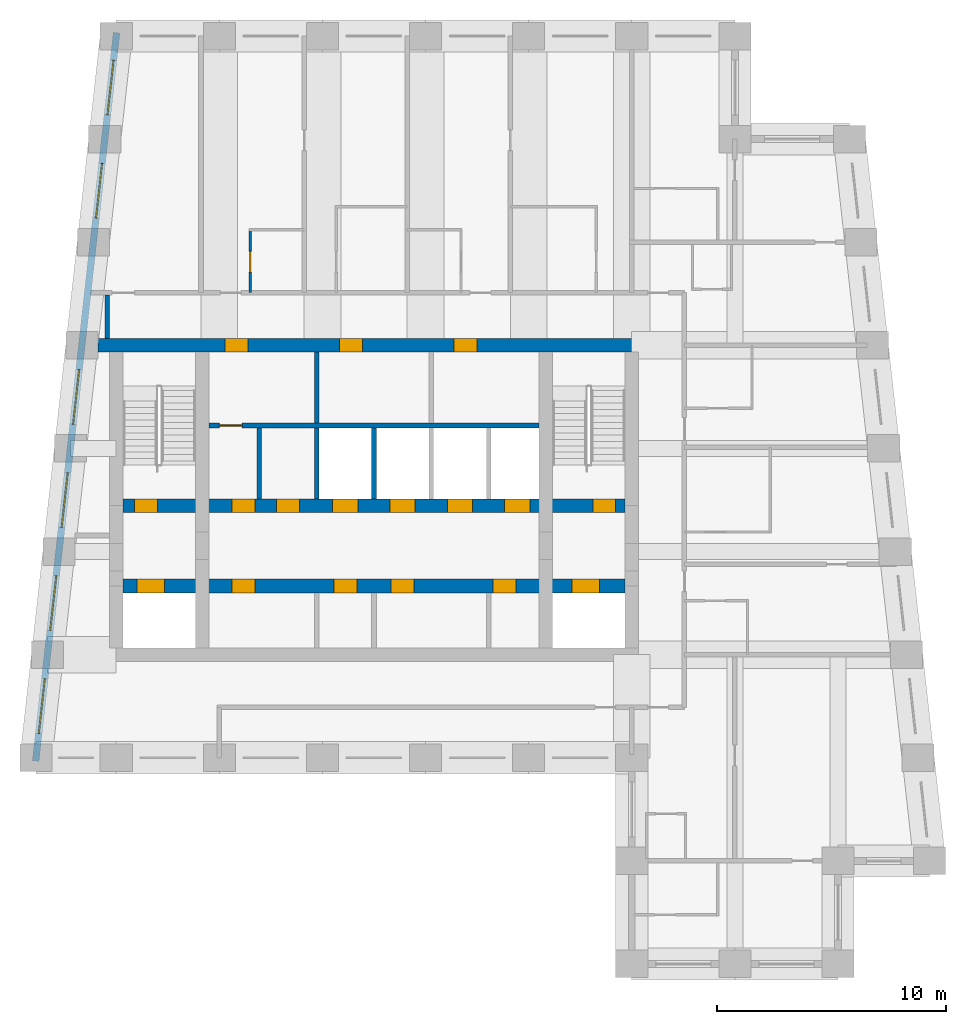
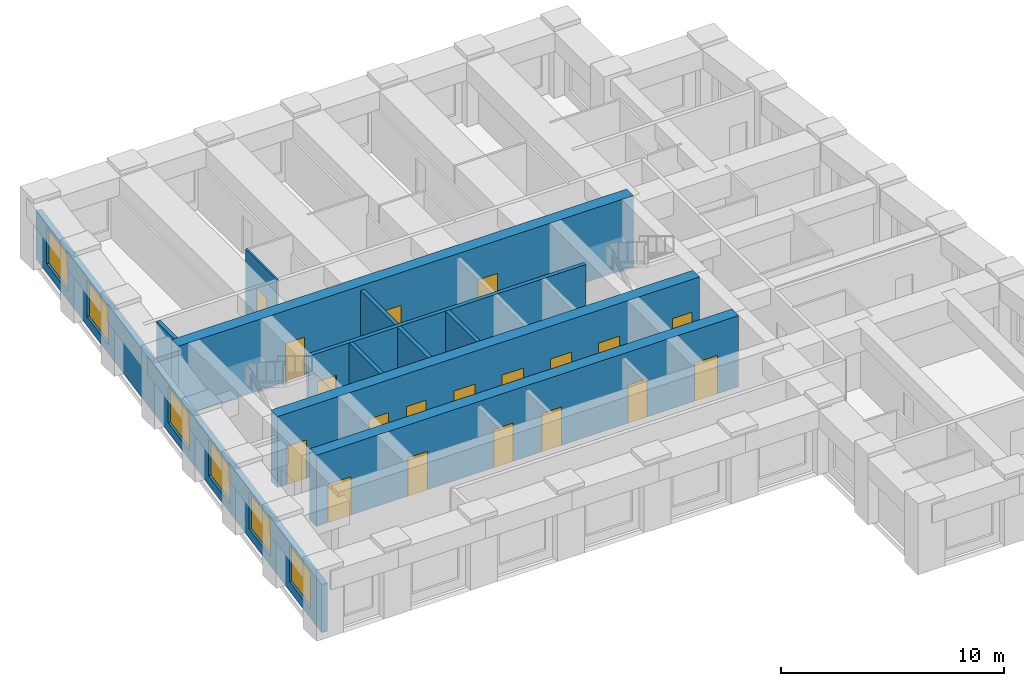
# One storey, part 3 of 7: 19 doors, 11 walls, 6 windows, 25 openings.
"""IFC4 building model written with IfcOpenShell, lengths in metres."""

from ifc_helpers import new_model, si_unit, direction, frame, frame_2d, origin, place, context, subcontext, project, spatial, rectangle, extrude, material, layer, layer_set, type_object, element, fill, save


model = new_model("IFC4")

# Units and contexts
model_context = context("Model", 3, precision=1e-05, world=origin(), true_north=direction((0.0, 1.0)))
body_context = subcontext(model_context, "Body", "Model", "MODEL_VIEW")
ifc_project = project(units=[si_unit("LENGTHUNIT", "METRE"), si_unit("AREAUNIT", "SQUARE_METRE"), si_unit("VOLUMEUNIT", "CUBIC_METRE"), si_unit("PLANEANGLEUNIT", "RADIAN"), si_unit("MASSUNIT", "GRAM", prefix="KILO")], contexts=[model_context])

# Site, building, storey
site_placement = place(None, origin())
site = spatial("IfcSite", under=ifc_project, at=site_placement, CompositionType="ELEMENT")
building_placement = place(site_placement, origin())
building = spatial("IfcBuilding", under=site, at=building_placement, Name="Kilele Tower Hotel", CompositionType="ELEMENT")
storey_placement = place(building_placement, frame((0.0, 0.0, 262.39990234375)))
storey = spatial("IfcBuildingStorey", under=building, at=storey_placement, Name="L67", CompositionType="ELEMENT", Elevation=262.39990234375)

# Wall, opening, door
ifc_material_1 = material(Name="Moisture-resistant board")
ifc_layer_1 = layer(ifc_material_1, 0.10009765625)
ifc_layer_set_1 = layer_set([ifc_layer_1], Name="Moisture-resistant board")
wall_type_1 = type_object("IfcWallType", Name="Bathroom partition 100", PredefinedType="PLUMBINGWALL", material=ifc_layer_set_1)
wall_1_placement = place(storey_placement, frame((19.35009765625, 29.300048828125, 0.0), z_axis=(0.0, 0.0, 1.0), x_axis=(0.0, 1.0, 0.0)))
wall_1 = element("IfcWall", 1, at=wall_1_placement, inside=storey, type_object=wall_type_1, Name="Bathroom partition 100 L67", PredefinedType="PLUMBINGWALL", context=body_context, shape_type="SweptSolid", body=[
    extrude(rectangle(XDim=2.800048828125, YDim=0.10009765625, at=frame_2d((1.39990234375, 0.0))), origin(), (0.0, 0.0, 1.0), 3.650146484375),
])
opening_1_placement = place(wall_1_placement, frame((0.89990234375, 0.0, 0.0)))
opening_1 = element("IfcOpeningElement", 2, at=opening_1_placement, cuts=wall_1, Name="Opening D2A", PredefinedType="OPENING", context=body_context, shape_type="SweptSolid", body=[
    extrude(rectangle(XDim=0.89990234375, YDim=2.10009765625, at=frame_2d((0.449951171875, 1.050048828125))), frame((0.0, 0.06005859375, 0.0), z_axis=(0.0, -1.0, 0.0), x_axis=(1.0, 0.0, 0.0)), (0.0, 0.0, 1.0), 0.1201171875),
])
ifc_material_2 = material(Name="Timber door leaf in hardwood frame", Category="wood")
door_type_1 = type_object("IfcDoorType", Name="Bathroom door 900", OperationType="SINGLE_SWING_LEFT", PredefinedType="DOOR", material=ifc_material_2)
door_1_placement = place(opening_1_placement, origin())
door_1 = element("IfcDoor", 3, at=door_1_placement, inside=storey, type_object=door_type_1, Name="Bathroom door 6707B", OperationType="SINGLE_SWING_LEFT", OverallHeight=2.10009765625, OverallWidth=0.89990234375, PredefinedType="DOOR", context=body_context, shape_type="SweptSolid", body=[
    extrude(rectangle(XDim=0.89990234375, YDim=2.10009765625, at=frame_2d((0.449951171875, 1.050048828125))), frame((0.0, 0.02490234375, 0.0), z_axis=(0.0, -1.0, 0.0), x_axis=(1.0, 0.0, 0.0)), (0.0, 0.0, 1.0), 0.050048828125),
])
fill(opening_1, door_1)

# Wall, openings, doors
ifc_material_3 = material(Name="Concrete C60/75", Category="concrete")
ifc_layer_2 = layer(ifc_material_3, 0.60009765625)
ifc_layer_set_2 = layer_set([ifc_layer_2], Name="Concrete C60/75")
wall_type_2 = type_object("IfcWallType", Name="Core wall 600 C60/75", PredefinedType="SHEAR", material=ifc_layer_set_2)
wall_2_placement = place(storey_placement, frame((36.300048828125, 27.0, 0.0), z_axis=(0.0, 0.0, 1.0), x_axis=(-1.0, 0.0, 0.0)))
wall_2 = element("IfcWall", 4, at=wall_2_placement, inside=storey, type_object=wall_type_2, Name="Core wall N L67", PredefinedType="SHEAR", context=body_context, shape_type="SweptSolid", body=[
    extrude(rectangle(XDim=23.60009765625, YDim=0.60009765625, at=frame_2d((11.800048828125, 0.0))), origin(), (0.0, 0.0, 1.0), 3.900146484375),
])
opening_2_placement = place(wall_2_placement, frame((17.050048828125, 0.0, 0.0)))
opening_2 = element("IfcOpeningElement", 5, at=opening_2_placement, cuts=wall_2, Name="Opening D12", PredefinedType="OPENING", context=body_context, shape_type="SweptSolid", body=[
    extrude(rectangle(XDim=1.0, YDim=2.10009765625, at=frame_2d((0.5, 1.050048828125))), frame((0.0, 0.31005859375, 0.0), z_axis=(0.0, -1.0, 0.0), x_axis=(1.0, 0.0, 0.0)), (0.0, 0.0, 1.0), 0.6201171875),
])
opening_3_placement = place(wall_2_placement, frame((12.050048828125, 0.0, 0.0)))
opening_3 = element("IfcOpeningElement", 6, at=opening_3_placement, cuts=wall_2, Name="Opening D6", PredefinedType="OPENING", context=body_context, shape_type="SweptSolid", body=[
    extrude(rectangle(XDim=1.0, YDim=2.10009765625, at=frame_2d((0.5, 1.050048828125))), frame((0.0, 0.31005859375, 0.0), z_axis=(0.0, -1.0, 0.0), x_axis=(1.0, 0.0, 0.0)), (0.0, 0.0, 1.0), 0.6201171875),
])
opening_4_placement = place(wall_2_placement, frame((7.050048828125, 0.0, 0.0)))
opening_4 = element("IfcOpeningElement", 7, at=opening_4_placement, cuts=wall_2, Name="Opening D6", PredefinedType="OPENING", context=body_context, shape_type="SweptSolid", body=[
    extrude(rectangle(XDim=1.0, YDim=2.10009765625, at=frame_2d((0.5, 1.050048828125))), frame((0.0, 0.31005859375, 0.0), z_axis=(0.0, -1.0, 0.0), x_axis=(1.0, 0.0, 0.0)), (0.0, 0.0, 1.0), 0.6201171875),
])
ifc_material_4 = material(Name="Timber door leaf in hardwood frame", Category="wood")
door_type_2 = type_object("IfcDoorType", Name="Core lobby door 1000", OperationType="SINGLE_SWING_LEFT", PredefinedType="DOOR", material=ifc_material_4)
door_2_placement = place(opening_2_placement, origin())
door_2 = element("IfcDoor", 8, at=door_2_placement, inside=storey, type_object=door_type_2, Name="North lobby door L67", OperationType="SINGLE_SWING_RIGHT", OverallHeight=2.10009765625, OverallWidth=1.0, PredefinedType="DOOR", context=body_context, shape_type="SweptSolid", body=[
    extrude(rectangle(XDim=1.0, YDim=2.10009765625, at=frame_2d((0.5, 1.050048828125))), frame((0.0, 0.2998046875, 0.0), z_axis=(0.0, -1.0, 0.0), x_axis=(1.0, 0.0, 0.0)), (0.0, 0.0, 1.0), 0.599609375),
])
fill(opening_2, door_2)
ifc_material_5 = material(Name="Timber door leaf in hardwood frame", Category="wood")
door_type_3 = type_object("IfcDoorType", Name="Riser door 1000", OperationType="SINGLE_SWING_LEFT", PredefinedType="DOOR", material=ifc_material_5)
door_3_placement = place(opening_3_placement, origin())
door_3 = element("IfcDoor", 9, at=door_3_placement, inside=storey, type_object=door_type_3, Name="Guest pantry door L67", OperationType="SINGLE_SWING_RIGHT", OverallHeight=2.10009765625, OverallWidth=1.0, PredefinedType="DOOR", context=body_context, shape_type="SweptSolid", body=[
    extrude(rectangle(XDim=1.0, YDim=2.10009765625, at=frame_2d((0.5, 1.050048828125))), frame((0.0, 0.2998046875, 0.0), z_axis=(0.0, -1.0, 0.0), x_axis=(1.0, 0.0, 0.0)), (0.0, 0.0, 1.0), 0.599609375),
])
fill(opening_3, door_3)
door_4_placement = place(opening_4_placement, origin())
door_4 = element("IfcDoor", 10, at=door_4_placement, inside=storey, type_object=door_type_3, Name="Electrical riser door L67", OperationType="SINGLE_SWING_RIGHT", OverallHeight=2.10009765625, OverallWidth=1.0, PredefinedType="DOOR", context=body_context, shape_type="SweptSolid", body=[
    extrude(rectangle(XDim=1.0, YDim=2.10009765625, at=frame_2d((0.5, 1.050048828125))), frame((0.0, 0.2998046875, 0.0), z_axis=(0.0, -1.0, 0.0), x_axis=(1.0, 0.0, 0.0)), (0.0, 0.0, 1.0), 0.599609375),
])
fill(opening_4, door_4)

wall_3_placement = place(storey_placement, frame((13.800048828125, 16.5, 0.0), z_axis=(0.0, 0.0, 1.0), x_axis=(1.0, 0.0, 0.0)))
wall_3 = element("IfcWall", 11, at=wall_3_placement, inside=storey, type_object=wall_type_2, Name="Core wall LS L67", PredefinedType="SHEAR", context=body_context, shape_type="SweptSolid", body=[
    extrude(rectangle(XDim=21.89990234375, YDim=0.60009765625, at=frame_2d((10.949951171875, 0.0))), origin(), (0.0, 0.0, 1.0), 3.900146484375),
])
opening_5_placement = place(wall_3_placement, frame((5.75, 0.0, 0.0), z_axis=(0.0, 0.0, 1.0), x_axis=(-1.0, 0.0, 0.0)))
opening_5 = element("IfcOpeningElement", 12, at=opening_5_placement, cuts=wall_3, Name="Opening D11", PredefinedType="OPENING", context=body_context, shape_type="SweptSolid", body=[
    extrude(rectangle(XDim=1.0, YDim=2.10009765625, at=frame_2d((0.5, 1.050048828125))), frame((0.0, 0.31005859375, 0.0), z_axis=(0.0, -1.0, 0.0), x_axis=(1.0, 0.0, 0.0)), (0.0, 0.0, 1.0), 0.6201171875),
])
opening_6_placement = place(wall_3_placement, frame((10.199951171875, 0.0, 0.0), z_axis=(0.0, 0.0, 1.0), x_axis=(-1.0, 0.0, 0.0)))
opening_6 = element("IfcOpeningElement", 13, at=opening_6_placement, cuts=wall_3, Name="Opening D11", PredefinedType="OPENING", context=body_context, shape_type="SweptSolid", body=[
    extrude(rectangle(XDim=1.0, YDim=2.10009765625, at=frame_2d((0.5, 1.050048828125))), frame((0.0, 0.31005859375, 0.0), z_axis=(0.0, -1.0, 0.0), x_axis=(1.0, 0.0, 0.0)), (0.0, 0.0, 1.0), 0.6201171875),
])
opening_7_placement = place(wall_3_placement, frame((12.699951171875, 0.0, 0.0), z_axis=(0.0, 0.0, 1.0), x_axis=(-1.0, 0.0, 0.0)))
opening_7 = element("IfcOpeningElement", 14, at=opening_7_placement, cuts=wall_3, Name="Opening D11", PredefinedType="OPENING", context=body_context, shape_type="SweptSolid", body=[
    extrude(rectangle(XDim=1.0, YDim=2.10009765625, at=frame_2d((0.5, 1.050048828125))), frame((0.0, 0.31005859375, 0.0), z_axis=(0.0, -1.0, 0.0), x_axis=(1.0, 0.0, 0.0)), (0.0, 0.0, 1.0), 0.6201171875),
])
opening_8_placement = place(wall_3_placement, frame((17.14990234375, 0.0, 0.0), z_axis=(0.0, 0.0, 1.0), x_axis=(-1.0, 0.0, 0.0)))
opening_8 = element("IfcOpeningElement", 15, at=opening_8_placement, cuts=wall_3, Name="Opening D11", PredefinedType="OPENING", context=body_context, shape_type="SweptSolid", body=[
    extrude(rectangle(XDim=1.0, YDim=2.10009765625, at=frame_2d((0.5, 1.050048828125))), frame((0.0, 0.31005859375, 0.0), z_axis=(0.0, -1.0, 0.0), x_axis=(1.0, 0.0, 0.0)), (0.0, 0.0, 1.0), 0.6201171875),
])
opening_9_placement = place(wall_3_placement, frame((0.60009765625, 0.0, 0.0)))
opening_9 = element("IfcOpeningElement", 16, at=opening_9_placement, cuts=wall_3, Name="Opening LD2", PredefinedType="OPENING", context=body_context, shape_type="SweptSolid", body=[
    extrude(rectangle(XDim=1.199951171875, YDim=2.10009765625, at=frame_2d((0.60009765625, 1.050048828125))), frame((0.0, 0.31005859375, 0.0), z_axis=(0.0, -1.0, 0.0), x_axis=(1.0, 0.0, 0.0)), (0.0, 0.0, 1.0), 0.6201171875),
])
opening_10_placement = place(wall_3_placement, frame((19.60009765625, 0.0, 0.0)))
opening_10 = element("IfcOpeningElement", 17, at=opening_10_placement, cuts=wall_3, Name="Opening LD2", PredefinedType="OPENING", context=body_context, shape_type="SweptSolid", body=[
    extrude(rectangle(XDim=1.199951171875, YDim=2.10009765625, at=frame_2d((0.60009765625, 1.050048828125))), frame((0.0, 0.31005859375, 0.0), z_axis=(0.0, -1.0, 0.0), x_axis=(1.0, 0.0, 0.0)), (0.0, 0.0, 1.0), 0.6201171875),
])
ifc_material_6 = material(Name="Timber door leaf in hardwood frame", Category="wood")
door_type_4 = type_object("IfcDoorType", Name="Core store door 1000", OperationType="SINGLE_SWING_LEFT", PredefinedType="DOOR", material=ifc_material_6)
door_5_placement = place(opening_5_placement, origin())
door_5 = element("IfcDoor", 18, at=door_5_placement, inside=storey, type_object=door_type_4, Name="Core room door L1 L67", OperationType="SINGLE_SWING_RIGHT", OverallHeight=2.10009765625, OverallWidth=1.0, PredefinedType="DOOR", context=body_context, shape_type="SweptSolid", body=[
    extrude(rectangle(XDim=1.0, YDim=2.10009765625, at=frame_2d((0.5, 1.050048828125))), frame((0.0, 0.2998046875, 0.0), z_axis=(0.0, -1.0, 0.0), x_axis=(1.0, 0.0, 0.0)), (0.0, 0.0, 1.0), 0.599609375),
])
fill(opening_5, door_5)
door_6_placement = place(opening_6_placement, origin())
door_6 = element("IfcDoor", 19, at=door_6_placement, inside=storey, type_object=door_type_4, Name="Core room door L3 L67", OperationType="SINGLE_SWING_RIGHT", OverallHeight=2.10009765625, OverallWidth=1.0, PredefinedType="DOOR", context=body_context, shape_type="SweptSolid", body=[
    extrude(rectangle(XDim=1.0, YDim=2.10009765625, at=frame_2d((0.5, 1.050048828125))), frame((0.0, 0.2998046875, 0.0), z_axis=(0.0, -1.0, 0.0), x_axis=(1.0, 0.0, 0.0)), (0.0, 0.0, 1.0), 0.599609375),
])
fill(opening_6, door_6)
door_7_placement = place(opening_7_placement, origin())
door_7 = element("IfcDoor", 20, at=door_7_placement, inside=storey, type_object=door_type_4, Name="Core room door M1 L67", OperationType="SINGLE_SWING_RIGHT", OverallHeight=2.10009765625, OverallWidth=1.0, PredefinedType="DOOR", context=body_context, shape_type="SweptSolid", body=[
    extrude(rectangle(XDim=1.0, YDim=2.10009765625, at=frame_2d((0.5, 1.050048828125))), frame((0.0, 0.2998046875, 0.0), z_axis=(0.0, -1.0, 0.0), x_axis=(1.0, 0.0, 0.0)), (0.0, 0.0, 1.0), 0.599609375),
])
fill(opening_7, door_7)
door_8_placement = place(opening_8_placement, origin())
door_8 = element("IfcDoor", 21, at=door_8_placement, inside=storey, type_object=door_type_4, Name="Core room door M3 L67", OperationType="SINGLE_SWING_RIGHT", OverallHeight=2.10009765625, OverallWidth=1.0, PredefinedType="DOOR", context=body_context, shape_type="SweptSolid", body=[
    extrude(rectangle(XDim=1.0, YDim=2.10009765625, at=frame_2d((0.5, 1.050048828125))), frame((0.0, 0.2998046875, 0.0), z_axis=(0.0, -1.0, 0.0), x_axis=(1.0, 0.0, 0.0)), (0.0, 0.0, 1.0), 0.599609375),
])
fill(opening_8, door_8)
ifc_material_7 = material(Name="Steel lift landing door", Category="steel")
door_type_5 = type_object("IfcDoorType", Name="Firefighting lift landing door 1200", OperationType="SLIDING_TO_LEFT", PredefinedType="DOOR", material=ifc_material_7)
door_9_placement = place(opening_9_placement, origin())
door_9 = element("IfcDoor", 22, at=door_9_placement, inside=storey, type_object=door_type_5, Name="Landing door FFW L67", OperationType="SLIDING_TO_LEFT", OverallHeight=2.10009765625, OverallWidth=1.199951171875, PredefinedType="DOOR", context=body_context, shape_type="SweptSolid", body=[
    extrude(rectangle(XDim=1.199951171875, YDim=2.10009765625, at=frame_2d((0.60009765625, 1.050048828125))), frame((0.0, 0.2998046875, 0.0), z_axis=(0.0, -1.0, 0.0), x_axis=(1.0, 0.0, 0.0)), (0.0, 0.0, 1.0), 0.599609375),
])
fill(opening_9, door_9)
door_10_placement = place(opening_10_placement, origin())
door_10 = element("IfcDoor", 23, at=door_10_placement, inside=storey, type_object=door_type_5, Name="Landing door FFE L67", OperationType="SLIDING_TO_LEFT", OverallHeight=2.10009765625, OverallWidth=1.199951171875, PredefinedType="DOOR", context=body_context, shape_type="SweptSolid", body=[
    extrude(rectangle(XDim=1.199951171875, YDim=2.10009765625, at=frame_2d((0.60009765625, 1.050048828125))), frame((0.0, 0.2998046875, 0.0), z_axis=(0.0, -1.0, 0.0), x_axis=(1.0, 0.0, 0.0)), (0.0, 0.0, 1.0), 0.599609375),
])
fill(opening_10, door_10)

wall_4_placement = place(storey_placement, frame((13.800048828125, 20.0, 0.0), z_axis=(0.0, 0.0, 1.0), x_axis=(1.0, 0.0, 0.0)))
wall_4 = element("IfcWall", 24, at=wall_4_placement, inside=storey, type_object=wall_type_2, Name="Core wall LN L67", PredefinedType="SHEAR", context=body_context, shape_type="SweptSolid", body=[
    extrude(rectangle(XDim=21.89990234375, YDim=0.60009765625, at=frame_2d((10.949951171875, 0.0))), origin(), (0.0, 0.0, 1.0), 3.900146484375),
])
opening_11_placement = place(wall_4_placement, frame((0.5, 0.0, 0.0)))
opening_11 = element("IfcOpeningElement", 25, at=opening_11_placement, cuts=wall_4, Name="Opening D5", PredefinedType="OPENING", context=body_context, shape_type="SweptSolid", body=[
    extrude(rectangle(XDim=1.0, YDim=2.10009765625, at=frame_2d((0.5, 1.050048828125))), frame((0.0, 0.31005859375, 0.0), z_axis=(0.0, -1.0, 0.0), x_axis=(1.0, 0.0, 0.0)), (0.0, 0.0, 1.0), 0.6201171875),
])
opening_12_placement = place(wall_4_placement, frame((20.5, 0.0, 0.0)))
opening_12 = element("IfcOpeningElement", 26, at=opening_12_placement, cuts=wall_4, Name="Opening D5", PredefinedType="OPENING", context=body_context, shape_type="SweptSolid", body=[
    extrude(rectangle(XDim=1.0, YDim=2.10009765625, at=frame_2d((0.5, 1.050048828125))), frame((0.0, 0.31005859375, 0.0), z_axis=(0.0, -1.0, 0.0), x_axis=(1.0, 0.0, 0.0)), (0.0, 0.0, 1.0), 0.6201171875),
])
opening_13_placement = place(wall_4_placement, frame((9.14990234375, 0.0, 0.0)))
opening_13 = element("IfcOpeningElement", 27, at=opening_13_placement, cuts=wall_4, Name="Opening LD1", PredefinedType="OPENING", context=body_context, shape_type="SweptSolid", body=[
    extrude(rectangle(XDim=1.10009765625, YDim=2.10009765625, at=frame_2d((0.550048828125, 1.050048828125))), frame((0.0, 0.31005859375, 0.0), z_axis=(0.0, -1.0, 0.0), x_axis=(1.0, 0.0, 0.0)), (0.0, 0.0, 1.0), 0.6201171875),
])
opening_14_placement = place(wall_4_placement, frame((11.64990234375, 0.0, 0.0)))
opening_14 = element("IfcOpeningElement", 28, at=opening_14_placement, cuts=wall_4, Name="Opening LD1", PredefinedType="OPENING", context=body_context, shape_type="SweptSolid", body=[
    extrude(rectangle(XDim=1.10009765625, YDim=2.10009765625, at=frame_2d((0.550048828125, 1.050048828125))), frame((0.0, 0.31005859375, 0.0), z_axis=(0.0, -1.0, 0.0), x_axis=(1.0, 0.0, 0.0)), (0.0, 0.0, 1.0), 0.6201171875),
])
opening_15_placement = place(wall_4_placement, frame((14.14990234375, 0.0, 0.0)))
opening_15 = element("IfcOpeningElement", 29, at=opening_15_placement, cuts=wall_4, Name="Opening LD1", PredefinedType="OPENING", context=body_context, shape_type="SweptSolid", body=[
    extrude(rectangle(XDim=1.10009765625, YDim=2.10009765625, at=frame_2d((0.550048828125, 1.050048828125))), frame((0.0, 0.31005859375, 0.0), z_axis=(0.0, -1.0, 0.0), x_axis=(1.0, 0.0, 0.0)), (0.0, 0.0, 1.0), 0.6201171875),
])
opening_16_placement = place(wall_4_placement, frame((16.64990234375, 0.0, 0.0)))
opening_16 = element("IfcOpeningElement", 30, at=opening_16_placement, cuts=wall_4, Name="Opening LD1", PredefinedType="OPENING", context=body_context, shape_type="SweptSolid", body=[
    extrude(rectangle(XDim=1.10009765625, YDim=2.10009765625, at=frame_2d((0.550048828125, 1.050048828125))), frame((0.0, 0.31005859375, 0.0), z_axis=(0.0, -1.0, 0.0), x_axis=(1.0, 0.0, 0.0)), (0.0, 0.0, 1.0), 0.6201171875),
])
opening_17_placement = place(wall_4_placement, frame((5.75, 0.0, 0.0), z_axis=(0.0, 0.0, 1.0), x_axis=(-1.0, 0.0, 0.0)))
opening_17 = element("IfcOpeningElement", 31, at=opening_17_placement, cuts=wall_4, Name="Opening D12", PredefinedType="OPENING", context=body_context, shape_type="SweptSolid", body=[
    extrude(rectangle(XDim=1.0, YDim=2.10009765625, at=frame_2d((0.5, 1.050048828125))), frame((0.0, 0.31005859375, 0.0), z_axis=(0.0, -1.0, 0.0), x_axis=(1.0, 0.0, 0.0)), (0.0, 0.0, 1.0), 0.6201171875),
])
opening_18_placement = place(wall_4_placement, frame((6.699951171875, 0.0, 0.0)))
opening_18 = element("IfcOpeningElement", 32, at=opening_18_placement, cuts=wall_4, Name="Opening D11", PredefinedType="OPENING", context=body_context, shape_type="SweptSolid", body=[
    extrude(rectangle(XDim=1.0, YDim=2.10009765625, at=frame_2d((0.5, 1.050048828125))), frame((0.0, 0.31005859375, 0.0), z_axis=(0.0, -1.0, 0.0), x_axis=(1.0, 0.0, 0.0)), (0.0, 0.0, 1.0), 0.6201171875),
])
door_11_placement = place(opening_17_placement, origin())
door_11 = element("IfcDoor", 33, at=door_11_placement, inside=storey, type_object=door_type_2, Name="Core passage door L67", OperationType="SINGLE_SWING_RIGHT", OverallHeight=2.10009765625, OverallWidth=1.0, PredefinedType="DOOR", context=body_context, shape_type="SweptSolid", body=[
    extrude(rectangle(XDim=1.0, YDim=2.10009765625, at=frame_2d((0.5, 1.050048828125))), frame((0.0, 0.2998046875, 0.0), z_axis=(0.0, -1.0, 0.0), x_axis=(1.0, 0.0, 0.0)), (0.0, 0.0, 1.0), 0.599609375),
])
fill(opening_17, door_11)
door_12_placement = place(opening_18_placement, origin())
door_12 = element("IfcDoor", 34, at=door_12_placement, inside=storey, type_object=door_type_4, Name="Core room door S2 L67", OperationType="SINGLE_SWING_LEFT", OverallHeight=2.10009765625, OverallWidth=1.0, PredefinedType="DOOR", context=body_context, shape_type="SweptSolid", body=[
    extrude(rectangle(XDim=1.0, YDim=2.10009765625, at=frame_2d((0.5, 1.050048828125))), frame((0.0, 0.2998046875, 0.0), z_axis=(0.0, -1.0, 0.0), x_axis=(1.0, 0.0, 0.0)), (0.0, 0.0, 1.0), 0.599609375),
])
fill(opening_18, door_12)
ifc_material_8 = material(Name="Steel lift landing door", Category="steel")
door_type_6 = type_object("IfcDoorType", Name="Lift landing door 1100", OperationType="SLIDING_TO_LEFT", PredefinedType="DOOR", material=ifc_material_8)
door_13_placement = place(opening_13_placement, origin())
door_13 = element("IfcDoor", 35, at=door_13_placement, inside=storey, type_object=door_type_6, Name="Landing door H1 L67", OperationType="SLIDING_TO_LEFT", OverallHeight=2.10009765625, OverallWidth=1.10009765625, PredefinedType="DOOR", context=body_context, shape_type="SweptSolid", body=[
    extrude(rectangle(XDim=1.10009765625, YDim=2.10009765625, at=frame_2d((0.550048828125, 1.050048828125))), frame((0.0, 0.2998046875, 0.0), z_axis=(0.0, -1.0, 0.0), x_axis=(1.0, 0.0, 0.0)), (0.0, 0.0, 1.0), 0.599609375),
])
fill(opening_13, door_13)
door_14_placement = place(opening_14_placement, origin())
door_14 = element("IfcDoor", 36, at=door_14_placement, inside=storey, type_object=door_type_6, Name="Landing door H2 L67", OperationType="SLIDING_TO_LEFT", OverallHeight=2.10009765625, OverallWidth=1.10009765625, PredefinedType="DOOR", context=body_context, shape_type="SweptSolid", body=[
    extrude(rectangle(XDim=1.10009765625, YDim=2.10009765625, at=frame_2d((0.550048828125, 1.050048828125))), frame((0.0, 0.2998046875, 0.0), z_axis=(0.0, -1.0, 0.0), x_axis=(1.0, 0.0, 0.0)), (0.0, 0.0, 1.0), 0.599609375),
])
fill(opening_14, door_14)
door_15_placement = place(opening_15_placement, origin())
door_15 = element("IfcDoor", 37, at=door_15_placement, inside=storey, type_object=door_type_6, Name="Landing door H3 L67", OperationType="SLIDING_TO_LEFT", OverallHeight=2.10009765625, OverallWidth=1.10009765625, PredefinedType="DOOR", context=body_context, shape_type="SweptSolid", body=[
    extrude(rectangle(XDim=1.10009765625, YDim=2.10009765625, at=frame_2d((0.550048828125, 1.050048828125))), frame((0.0, 0.2998046875, 0.0), z_axis=(0.0, -1.0, 0.0), x_axis=(1.0, 0.0, 0.0)), (0.0, 0.0, 1.0), 0.599609375),
])
fill(opening_15, door_15)
door_16_placement = place(opening_16_placement, origin())
door_16 = element("IfcDoor", 38, at=door_16_placement, inside=storey, type_object=door_type_6, Name="Landing door G1 L67", OperationType="SLIDING_TO_LEFT", OverallHeight=2.10009765625, OverallWidth=1.10009765625, PredefinedType="DOOR", context=body_context, shape_type="SweptSolid", body=[
    extrude(rectangle(XDim=1.10009765625, YDim=2.10009765625, at=frame_2d((0.550048828125, 1.050048828125))), frame((0.0, 0.2998046875, 0.0), z_axis=(0.0, -1.0, 0.0), x_axis=(1.0, 0.0, 0.0)), (0.0, 0.0, 1.0), 0.599609375),
])
fill(opening_16, door_16)
ifc_material_9 = material(Name="Timber door leaf in hardwood frame", Category="wood")
door_type_7 = type_object("IfcDoorType", Name="Stair door 1000", OperationType="SINGLE_SWING_LEFT", PredefinedType="DOOR", material=ifc_material_9)
door_17_placement = place(opening_11_placement, origin())
door_17 = element("IfcDoor", 39, at=door_17_placement, inside=storey, type_object=door_type_7, Name="Stair 1 door L67", OperationType="SINGLE_SWING_LEFT", OverallHeight=2.10009765625, OverallWidth=1.0, PredefinedType="DOOR", context=body_context, shape_type="SweptSolid", body=[
    extrude(rectangle(XDim=1.0, YDim=2.10009765625, at=frame_2d((0.5, 1.050048828125))), frame((0.0, 0.2998046875, 0.0), z_axis=(0.0, -1.0, 0.0), x_axis=(1.0, 0.0, 0.0)), (0.0, 0.0, 1.0), 0.599609375),
])
fill(opening_11, door_17)
door_18_placement = place(opening_12_placement, origin())
door_18 = element("IfcDoor", 40, at=door_18_placement, inside=storey, type_object=door_type_7, Name="Stair 2 door L67", OperationType="SINGLE_SWING_RIGHT", OverallHeight=2.10009765625, OverallWidth=1.0, PredefinedType="DOOR", context=body_context, shape_type="SweptSolid", body=[
    extrude(rectangle(XDim=1.0, YDim=2.10009765625, at=frame_2d((0.5, 1.050048828125))), frame((0.0, 0.2998046875, 0.0), z_axis=(0.0, -1.0, 0.0), x_axis=(1.0, 0.0, 0.0)), (0.0, 0.0, 1.0), 0.599609375),
])
fill(opening_12, door_18)

# Wall
ifc_material_10 = material(Name="Blockwork, plastered both sides", Category="masonry")
ifc_layer_3 = layer(ifc_material_10, 0.199951171875)
ifc_layer_set_3 = layer_set([ifc_layer_3], Name="Blockwork, plastered both sides")
wall_type_3 = type_object("IfcWallType", Name="Partition wall 200", PredefinedType="PARTITIONING", material=ifc_layer_set_3)
wall_5_placement = place(storey_placement, frame((13.10009765625, 27.300048828125, 0.0), z_axis=(0.0, 0.0, 1.0), x_axis=(0.0, 1.0, 0.0)))
element("IfcWall", 41, at=wall_5_placement, inside=storey, type_object=wall_type_3, Name="Partition wall 200 L67", PredefinedType="PARTITIONING", context=body_context, shape_type="SweptSolid", body=[
    extrude(rectangle(XDim=1.89990234375, YDim=0.199951171875, at=frame_2d((0.949951171875, 0.0))), origin(), (0.0, 0.0, 1.0), 3.650146484375),
])

# Wall, openings, windows
ifc_material_11 = material(Name="Concrete C40/50 precast", Category="concrete")
ifc_layer_4 = layer(ifc_material_11, 0.260009765625, Name="Precast backing", Category="LoadBearing")
ifc_material_12 = material(Name="Reconstituted stone finish", Category="masonry")
ifc_layer_5 = layer(ifc_material_12, 0.0400390625, Name="Face mix", Category="Finish")
ifc_layer_set_4 = layer_set([ifc_layer_4, ifc_layer_5], Name="Precast concrete C40/50, reconstituted stone finish")
wall_type_4 = type_object("IfcWallType", Name="Precast stone facade wall 300", PredefinedType="STANDARD", material=ifc_layer_set_4)
wall_6_placement = place(storey_placement, frame((13.5166015625, 40.649169921875, 0.0), z_axis=(0.0, 0.0, 1.0), x_axis=(-0.110433201132, -0.993883548555, 0.0)))
wall_6 = element("IfcWall", 42, at=wall_6_placement, inside=storey, type_object=wall_type_4, Name="Facade wall L67 edge 10", PredefinedType="STANDARD", context=body_context, shape_type="SweptSolid", body=[
    extrude(rectangle(XDim=31.994140625, YDim=0.300048828125, at=frame_2d((15.9970703125, 0.0))), origin(), (0.0, 0.0, 1.0), 2.650146484375),
])
opening_19_placement = place(wall_6_placement, frame((1.214111328125, 0.0, 0.5)))
opening_19 = element("IfcOpeningElement", 43, at=opening_19_placement, cuts=wall_6, Name="Opening W4", PredefinedType="OPENING", context=body_context, shape_type="SweptSolid", body=[
    extrude(rectangle(XDim=2.39990234375, YDim=2.0, at=frame_2d((1.199951171875, 1.0))), frame((0.0, 0.159912109375, 0.0), z_axis=(0.0, -1.0, 0.0), x_axis=(1.0, 0.0, 0.0)), (0.0, 0.0, 1.0), 0.320068359375),
])
opening_20_placement = place(wall_6_placement, frame((5.741943359375, 0.0, 0.5)))
opening_20 = element("IfcOpeningElement", 44, at=opening_20_placement, cuts=wall_6, Name="Opening W4", PredefinedType="OPENING", context=body_context, shape_type="SweptSolid", body=[
    extrude(rectangle(XDim=2.39990234375, YDim=2.0, at=frame_2d((1.199951171875, 1.0))), frame((0.0, 0.159912109375, 0.0), z_axis=(0.0, -1.0, 0.0), x_axis=(1.0, 0.0, 0.0)), (0.0, 0.0, 1.0), 0.320068359375),
])
opening_21_placement = place(wall_6_placement, frame((14.797119140625, 0.0, 0.5)))
opening_21 = element("IfcOpeningElement", 45, at=opening_21_placement, cuts=wall_6, Name="Opening W4", PredefinedType="OPENING", context=body_context, shape_type="SweptSolid", body=[
    extrude(rectangle(XDim=2.39990234375, YDim=2.0, at=frame_2d((1.199951171875, 1.0))), frame((0.0, 0.159912109375, 0.0), z_axis=(0.0, -1.0, 0.0), x_axis=(1.0, 0.0, 0.0)), (0.0, 0.0, 1.0), 0.320068359375),
])
opening_22_placement = place(wall_6_placement, frame((19.324951171875, 0.0, 0.5)))
opening_22 = element("IfcOpeningElement", 46, at=opening_22_placement, cuts=wall_6, Name="Opening W4", PredefinedType="OPENING", context=body_context, shape_type="SweptSolid", body=[
    extrude(rectangle(XDim=2.39990234375, YDim=2.0, at=frame_2d((1.199951171875, 1.0))), frame((0.0, 0.159912109375, 0.0), z_axis=(0.0, -1.0, 0.0), x_axis=(1.0, 0.0, 0.0)), (0.0, 0.0, 1.0), 0.320068359375),
])
opening_23_placement = place(wall_6_placement, frame((23.85205078125, 0.0, 0.5)))
opening_23 = element("IfcOpeningElement", 47, at=opening_23_placement, cuts=wall_6, Name="Opening W4", PredefinedType="OPENING", context=body_context, shape_type="SweptSolid", body=[
    extrude(rectangle(XDim=2.39990234375, YDim=2.0, at=frame_2d((1.199951171875, 1.0))), frame((0.0, 0.159912109375, 0.0), z_axis=(0.0, -1.0, 0.0), x_axis=(1.0, 0.0, 0.0)), (0.0, 0.0, 1.0), 0.320068359375),
])
opening_24_placement = place(wall_6_placement, frame((28.3798828125, 0.0, 0.5)))
opening_24 = element("IfcOpeningElement", 48, at=opening_24_placement, cuts=wall_6, Name="Opening W4", PredefinedType="OPENING", context=body_context, shape_type="SweptSolid", body=[
    extrude(rectangle(XDim=2.39990234375, YDim=2.0, at=frame_2d((1.199951171875, 1.0))), frame((0.0, 0.159912109375, 0.0), z_axis=(0.0, -1.0, 0.0), x_axis=(1.0, 0.0, 0.0)), (0.0, 0.0, 1.0), 0.320068359375),
])
ifc_material_13 = material(Name="Aluminium frame, clear double glazing", Category="aluminium")
window_type = type_object("IfcWindowType", Name="Window W4 2400 x 2000", PartitioningType="SINGLE_PANEL", PredefinedType="WINDOW", material=ifc_material_13)
window_1_placement = place(opening_19_placement, origin())
window_1 = element("IfcWindow", 49, at=window_1_placement, inside=storey, type_object=window_type, Name="Window L67", OverallHeight=2.0, OverallWidth=2.39990234375, PartitioningType="SINGLE_PANEL", PredefinedType="WINDOW", context=body_context, shape_type="SweptSolid", body=[
    extrude(rectangle(XDim=2.39990234375, YDim=2.0, at=frame_2d((1.199951171875, 1.0))), frame((0.0, 0.030029296875, 0.0), z_axis=(0.0, -1.0, 0.0), x_axis=(1.0, 0.0, 0.0)), (0.0, 0.0, 1.0), 0.06005859375),
])
fill(opening_19, window_1)
window_2_placement = place(opening_20_placement, origin())
window_2 = element("IfcWindow", 50, at=window_2_placement, inside=storey, type_object=window_type, Name="Window L67", OverallHeight=2.0, OverallWidth=2.39990234375, PartitioningType="SINGLE_PANEL", PredefinedType="WINDOW", context=body_context, shape_type="SweptSolid", body=[
    extrude(rectangle(XDim=2.39990234375, YDim=2.0, at=frame_2d((1.199951171875, 1.0))), frame((0.0, 0.030029296875, 0.0), z_axis=(0.0, -1.0, 0.0), x_axis=(1.0, 0.0, 0.0)), (0.0, 0.0, 1.0), 0.06005859375),
])
fill(opening_20, window_2)
window_3_placement = place(opening_21_placement, origin())
window_3 = element("IfcWindow", 51, at=window_3_placement, inside=storey, type_object=window_type, Name="Window L67", OverallHeight=2.0, OverallWidth=2.39990234375, PartitioningType="SINGLE_PANEL", PredefinedType="WINDOW", context=body_context, shape_type="SweptSolid", body=[
    extrude(rectangle(XDim=2.39990234375, YDim=2.0, at=frame_2d((1.199951171875, 1.0))), frame((0.0, 0.030029296875, 0.0), z_axis=(0.0, -1.0, 0.0), x_axis=(1.0, 0.0, 0.0)), (0.0, 0.0, 1.0), 0.06005859375),
])
fill(opening_21, window_3)
window_4_placement = place(opening_22_placement, origin())
window_4 = element("IfcWindow", 52, at=window_4_placement, inside=storey, type_object=window_type, Name="Window L67", OverallHeight=2.0, OverallWidth=2.39990234375, PartitioningType="SINGLE_PANEL", PredefinedType="WINDOW", context=body_context, shape_type="SweptSolid", body=[
    extrude(rectangle(XDim=2.39990234375, YDim=2.0, at=frame_2d((1.199951171875, 1.0))), frame((0.0, 0.030029296875, 0.0), z_axis=(0.0, -1.0, 0.0), x_axis=(1.0, 0.0, 0.0)), (0.0, 0.0, 1.0), 0.06005859375),
])
fill(opening_22, window_4)
window_5_placement = place(opening_23_placement, origin())
window_5 = element("IfcWindow", 53, at=window_5_placement, inside=storey, type_object=window_type, Name="Window L67", OverallHeight=2.0, OverallWidth=2.39990234375, PartitioningType="SINGLE_PANEL", PredefinedType="WINDOW", context=body_context, shape_type="SweptSolid", body=[
    extrude(rectangle(XDim=2.39990234375, YDim=2.0, at=frame_2d((1.199951171875, 1.0))), frame((0.0, 0.030029296875, 0.0), z_axis=(0.0, -1.0, 0.0), x_axis=(1.0, 0.0, 0.0)), (0.0, 0.0, 1.0), 0.06005859375),
])
fill(opening_23, window_5)
window_6_placement = place(opening_24_placement, origin())
window_6 = element("IfcWindow", 54, at=window_6_placement, inside=storey, type_object=window_type, Name="Window L67", OverallHeight=2.0, OverallWidth=2.39990234375, PartitioningType="SINGLE_PANEL", PredefinedType="WINDOW", context=body_context, shape_type="SweptSolid", body=[
    extrude(rectangle(XDim=2.39990234375, YDim=2.0, at=frame_2d((1.199951171875, 1.0))), frame((0.0, 0.030029296875, 0.0), z_axis=(0.0, -1.0, 0.0), x_axis=(1.0, 0.0, 0.0)), (0.0, 0.0, 1.0), 0.06005859375),
])
fill(opening_24, window_6)

# Walls
ifc_material_14 = material(Name="Blockwork, fire-rated", Category="masonry")
ifc_layer_6 = layer(ifc_material_14, 0.199951171875)
ifc_layer_set_5 = layer_set([ifc_layer_6], Name="Blockwork, fire-rated")
wall_type_5 = type_object("IfcWallType", Name="Shaft wall 200", PredefinedType="PARTITIONING", material=ifc_layer_set_5)
for number, where, z_axis, x_axis, name in (
    (55, (19.75, 20.300048828125, 0.0), (0.0, 0.0, 1.0), (0.0, 1.0, 0.0), "Shaft wall 200 L67"),
    (56, (22.25, 20.300048828125, 0.0), (0.0, 0.0, 1.0), (0.0, 1.0, 0.0), "Shaft wall 200 L67"),
    (57, (24.75, 20.300048828125, 0.0), (0.0, 0.0, 1.0), (0.0, 1.0, 0.0), "Shaft wall 200 L67"),
):
    element("IfcWall", number, at=place(storey_placement, frame(where, z_axis=z_axis, x_axis=x_axis)), inside=storey, type_object=wall_type_5, Name=name, PredefinedType="PARTITIONING", context=body_context, shape_type="SweptSolid", body=[
        extrude(rectangle(XDim=3.099853515625, YDim=0.199951171875, at=frame_2d((1.5498046875, 0.0))), origin(), (0.0, 0.0, 1.0), 3.650146484375),
    ])

# Wall, opening, door
wall_7_placement = place(storey_placement, frame((17.550048828125, 23.5, 0.0), z_axis=(0.0, 0.0, 1.0), x_axis=(1.0, 0.0, 0.0)))
wall_7 = element("IfcWall", 58, at=wall_7_placement, inside=storey, type_object=wall_type_5, Name="Shaft wall 200 L67", PredefinedType="PARTITIONING", context=body_context, shape_type="SweptSolid", body=[
    extrude(rectangle(XDim=14.39990234375, YDim=0.199951171875, at=frame_2d((7.199951171875, 0.0))), origin(), (0.0, 0.0, 1.0), 3.650146484375),
])
opening_25_placement = place(wall_7_placement, frame((0.449951171875, 0.0, 0.0)))
opening_25 = element("IfcOpeningElement", 59, at=opening_25_placement, cuts=wall_7, Name="Opening D12", PredefinedType="OPENING", context=body_context, shape_type="SweptSolid", body=[
    extrude(rectangle(XDim=1.0, YDim=2.10009765625, at=frame_2d((0.5, 1.050048828125))), frame((0.0, 0.10986328125, 0.0), z_axis=(0.0, -1.0, 0.0), x_axis=(1.0, 0.0, 0.0)), (0.0, 0.0, 1.0), 0.219970703125),
])
door_19_placement = place(opening_25_placement, origin())
door_19 = element("IfcDoor", 60, at=door_19_placement, inside=storey, type_object=door_type_2, Name="Core passage door", OperationType="SINGLE_SWING_LEFT", OverallHeight=2.10009765625, OverallWidth=1.0, PredefinedType="DOOR", context=body_context, shape_type="SweptSolid", body=[
    extrude(rectangle(XDim=1.0, YDim=2.10009765625, at=frame_2d((0.5, 1.050048828125))), frame((0.0, 0.02490234375, 0.0), z_axis=(0.0, -1.0, 0.0), x_axis=(1.0, 0.0, 0.0)), (0.0, 0.0, 1.0), 0.050048828125),
])
fill(opening_25, door_19)

# Wall
wall_8_placement = place(storey_placement, frame((22.25, 23.60009765625, 0.0), z_axis=(0.0, 0.0, 1.0), x_axis=(0.0, 1.0, 0.0)))
element("IfcWall", 61, at=wall_8_placement, inside=storey, type_object=wall_type_5, Name="Shaft wall 200 L67", PredefinedType="PARTITIONING", context=body_context, shape_type="SweptSolid", body=[
    extrude(rectangle(XDim=3.099853515625, YDim=0.199951171875, at=frame_2d((1.5498046875, 0.0))), origin(), (0.0, 0.0, 1.0), 3.650146484375),
])

save(model, "model.ifc")
